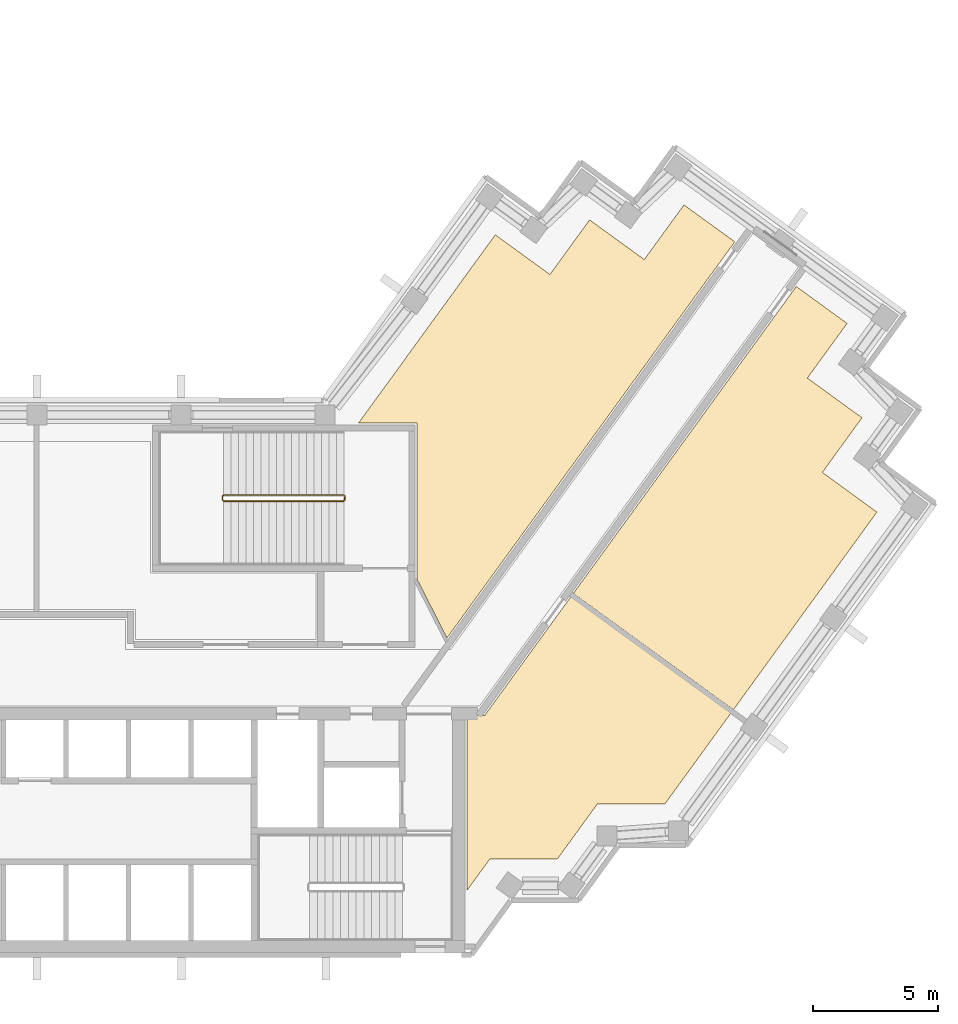
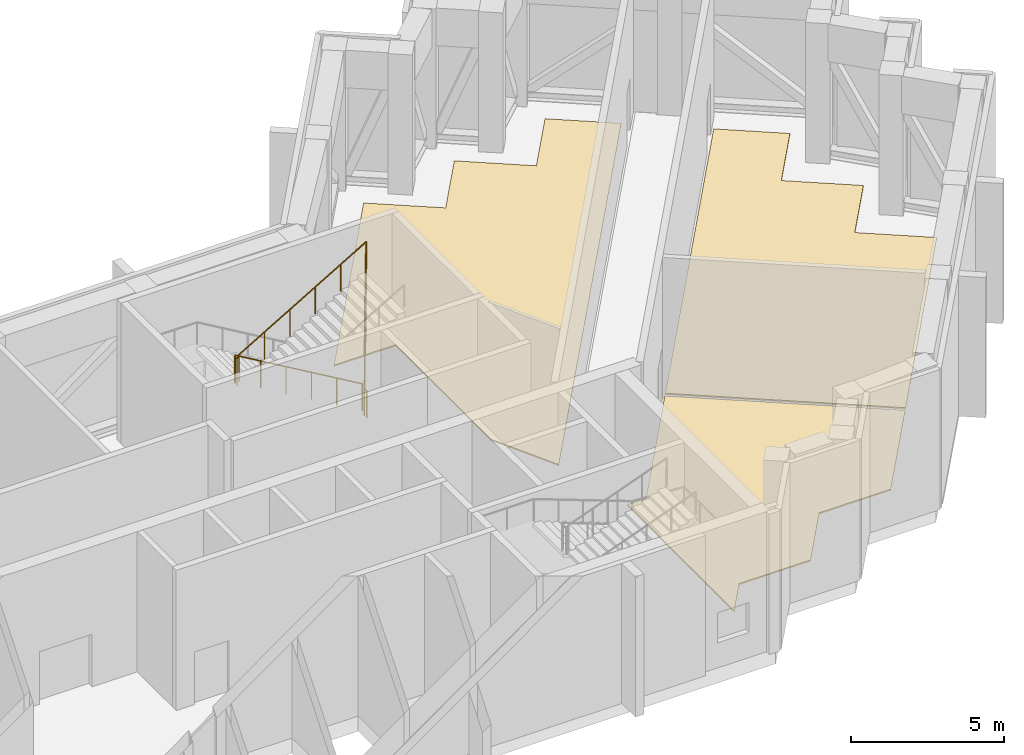
# One storey, part 15 of 15: 3 coverings, 1 railing.
"""IFC4 building model written with IfcOpenShell, lengths in metres."""

from ifc_helpers import new_model, si_unit, direction, frame, origin, origin_2d, place, context, subcontext, project, spatial, polyline, circle, outline, extrude, material, layer, layer_set, type_object, element, save


model = new_model("IFC4")

# Units and contexts
model_context = context("Model", 3, precision=1e-05, world=origin(), true_north=direction((0.0, 1.0)))
body_context = subcontext(model_context, "Body", "Model", "MODEL_VIEW")
ifc_project = project(units=[si_unit("LENGTHUNIT", "METRE"), si_unit("AREAUNIT", "SQUARE_METRE"), si_unit("VOLUMEUNIT", "CUBIC_METRE"), si_unit("PLANEANGLEUNIT", "RADIAN"), si_unit("MASSUNIT", "GRAM", prefix="KILO")], contexts=[model_context])

# Site, building, storey
site_placement = place(None, origin())
site = spatial("IfcSite", under=ifc_project, at=site_placement, CompositionType="ELEMENT")
building_placement = place(site_placement, origin())
building = spatial("IfcBuilding", under=site, at=building_placement, Name="Quipu Civic Tower", CompositionType="ELEMENT")
storey_placement = place(building_placement, frame((0.0, 0.0, 242.0)))
storey = spatial("IfcBuildingStorey", under=building, at=storey_placement, Name="L57", CompositionType="ELEMENT", Elevation=242.0)

# Coverings
ifc_material_1 = material(Name="Sealed cement screed")
ifc_layer = layer(ifc_material_1, 0.050048828125)
ifc_layer_set = layer_set([ifc_layer], Name="Sealed cement screed")
covering_type = type_object("IfcCoveringType", Name="Sealed screed floor finish 50", PredefinedType="FLOORING", material=ifc_layer_set)
covering_1_placement = place(storey_placement, origin())
element("IfcCovering", 1, at=covering_1_placement, inside=storey, type_object=covering_type, Name="Sealed screed floor finish 50", PredefinedType="FLOORING", context=body_context, shape_type="SweptSolid", body=[
    extrude(outline(polyline([(15.73193359375, 10.169921875), (21.205078125, 17.701904296875), (23.388916015625, 16.115966796875), (24.97607421875, 18.299072265625), (27.159912109375, 16.712890625), (28.748046875, 18.89697265625), (30.779052734375, 17.422119140625), (19.27197265625, 1.583984375), (18.070068359375, 3.94189453125), (18.070068359375, 10.1689453125), (15.73193359375, 10.169921875)])), origin(), (0.0, 0.0, 1.0), 0.050048828125),
])
covering_2_placement = place(storey_placement, origin())
element("IfcCovering", 2, at=covering_2_placement, inside=storey, type_object=covering_type, Name="Sealed screed floor finish 50", PredefinedType="FLOORING", context=body_context, shape_type="SweptSolid", body=[
    extrude(outline(polyline([(20.070068359375, -8.514892578125), (20.070068359375, -1.52001953125), (20.77490234375, -1.51904296875), (24.241943359375, 3.2529296875), (30.64111328125, -1.39599609375), (27.97900390625, -5.06103515625), (25.279052734375, -5.06103515625), (23.69189453125, -7.24609375), (20.991943359375, -7.24609375), (20.070068359375, -8.514892578125)])), origin(), (0.0, 0.0, 1.0), 0.050048828125),
])
covering_3_placement = place(storey_placement, origin())
element("IfcCovering", 3, at=covering_3_placement, inside=storey, type_object=covering_type, Name="Sealed screed floor finish 50", PredefinedType="FLOORING", context=body_context, shape_type="SweptSolid", body=[
    extrude(outline(polyline([(24.324951171875, 3.365966796875), (33.238037109375, 15.635009765625), (35.26904296875, 14.159912109375), (33.681884765625, 11.97607421875), (35.865966796875, 10.387939453125), (34.280029296875, 8.2041015625), (36.462890625, 6.616943359375), (30.72412109375, -1.282958984375), (24.324951171875, 3.365966796875)])), origin(), (0.0, 0.0, 1.0), 0.050048828125),
])

# Railing
ifc_material_2 = material(Name="Stainless steel", Category="steel")
railing_type = type_object("IfcRailingType", Name="Stair guard 1100", PredefinedType="GUARDRAIL", material=ifc_material_2)
railing_placement = place(storey_placement, frame((15.14990234375, 7.300048828125, 0.176513671875)))
element("IfcRailing", 4, at=railing_placement, inside=storey, type_object=railing_type, Name="Stair 4 guard", PredefinedType="GUARDRAIL", context=body_context, shape_type="SweptSolid", body=[
    extrude(circle(Radius=0.02392578125, at=origin_2d()), frame((0.0, 0.0, 1.076171875), z_axis=(-0.86192857992, 0.0, 0.507029706346), x_axis=(0.0, -1.0, 0.0)), (0.0, 0.0, 1.0), 5.568603515625),
    extrude(circle(Radius=0.02392578125, at=origin_2d()), frame((-4.7998046875, 0.0, 3.8994140625), z_axis=(-0.707106781187, -0.707106781187, 0.0), x_axis=(0.707106781187, -0.707106781187, 0.0)), (0.0, 0.0, 1.0), 0.07080078125),
    extrude(circle(Radius=0.02392578125, at=origin_2d()), frame((-4.849853515625, -0.050048828125, 3.8994140625), z_axis=(0.0, -1.0, 0.0), x_axis=(1.0, 0.0, 0.0)), (0.0, 0.0, 1.0), 0.14990234375),
    extrude(circle(Radius=0.02392578125, at=origin_2d()), frame((-4.849853515625, -0.199951171875, 3.8994140625), z_axis=(0.263171338983, -0.263171338983, 0.928160380902), x_axis=(0.707106781187, 0.707106781187, 0.0)), (0.0, 0.0, 1.0), 0.190185546875),
    extrude(circle(Radius=0.02392578125, at=origin_2d()), frame((-4.7998046875, -0.25, 4.076171875), z_axis=(0.86192857992, 0.0, 0.507029706346), x_axis=(0.0, 1.0, 0.0)), (0.0, 0.0, 1.0), 5.568603515625),
    extrude(circle(Radius=0.02392578125, at=origin_2d()), frame((0.0, -0.25, 6.8994140625), z_axis=(0.008336553618, 0.033305548356, -0.999410447375), x_axis=(-0.970072785993, 0.242814311512, 0.0)), (0.0, 0.0, 1.0), 6.00341796875),
    extrude(circle(Radius=0.02392578125, at=origin_2d()), frame((0.050048828125, -0.050048828125, 0.8994140625), z_axis=(0.0, -1.0, 0.0), x_axis=(1.0, 0.0, 0.0)), (0.0, 0.0, 1.0), 0.14990234375),
    extrude(circle(Radius=0.02099609375, at=origin_2d()), origin(), (0.0, 0.0, 1.0), 1.052001953125),
    extrude(circle(Radius=0.02099609375, at=origin_2d()), frame((-0.9599609375, 0.0, 0.564697265625)), (0.0, 0.0, 1.0), 1.052001953125),
    extrude(circle(Radius=0.02099609375, at=origin_2d()), frame((-1.919921875, 0.0, 1.12939453125)), (0.0, 0.0, 1.0), 1.052001953125),
    extrude(circle(Radius=0.02099609375, at=origin_2d()), frame((-2.8798828125, 0.0, 1.694091796875)), (0.0, 0.0, 1.0), 1.052001953125),
    extrude(circle(Radius=0.02099609375, at=origin_2d()), frame((-3.83984375, 0.0, 2.2587890625)), (0.0, 0.0, 1.0), 1.052001953125),
    extrude(circle(Radius=0.02099609375, at=origin_2d()), frame((-4.7998046875, 0.0, 2.823486328125)), (0.0, 0.0, 1.0), 1.052001953125),
    extrude(circle(Radius=0.02099609375, at=origin_2d()), frame((-4.849853515625, -0.050048828125, 2.823486328125)), (0.0, 0.0, 1.0), 1.052001953125),
    extrude(circle(Radius=0.02099609375, at=origin_2d()), frame((-4.849853515625, -0.199951171875, 2.823486328125)), (0.0, 0.0, 1.0), 1.052001953125),
    extrude(circle(Radius=0.02099609375, at=origin_2d()), frame((-4.7998046875, -0.25, 3.0)), (0.0, 0.0, 1.0), 1.052001953125),
    extrude(circle(Radius=0.02099609375, at=origin_2d()), frame((-3.83984375, -0.25, 3.564697265625)), (0.0, 0.0, 1.0), 1.052001953125),
    extrude(circle(Radius=0.02099609375, at=origin_2d()), frame((-2.8798828125, -0.25, 4.12939453125)), (0.0, 0.0, 1.0), 1.052001953125),
    extrude(circle(Radius=0.02099609375, at=origin_2d()), frame((-1.919921875, -0.25, 4.694091796875)), (0.0, 0.0, 1.0), 1.052001953125),
    extrude(circle(Radius=0.02099609375, at=origin_2d()), frame((-0.9599609375, -0.25, 5.2587890625)), (0.0, 0.0, 1.0), 1.052001953125),
    extrude(circle(Radius=0.02099609375, at=origin_2d()), frame((0.0, -0.25, 5.823486328125)), (0.0, 0.0, 1.0), 1.052001953125),
    extrude(circle(Radius=0.02099609375, at=origin_2d()), frame((0.00830078125, -0.216796875, 4.823486328125)), (0.0, 0.0, 1.0), 1.052001953125),
    extrude(circle(Radius=0.02099609375, at=origin_2d()), frame((0.0166015625, -0.183349609375, 3.823486328125)), (0.0, 0.0, 1.0), 1.052001953125),
    extrude(circle(Radius=0.02099609375, at=origin_2d()), frame((0.02490234375, -0.14990234375, 2.823486328125)), (0.0, 0.0, 1.0), 1.052001953125),
    extrude(circle(Radius=0.02099609375, at=origin_2d()), frame((0.033447265625, -0.11669921875, 1.823486328125)), (0.0, 0.0, 1.0), 1.052001953125),
    extrude(circle(Radius=0.02099609375, at=origin_2d()), frame((0.041748046875, -0.08349609375, 0.823486328125)), (0.0, 0.0, 1.0), 1.052001953125),
    extrude(circle(Radius=0.02099609375, at=origin_2d()), frame((0.050048828125, -0.050048828125, -0.176513671875)), (0.0, 0.0, 1.0), 1.052001953125),
    extrude(circle(Radius=0.02099609375, at=origin_2d()), frame((0.050048828125, -0.199951171875, -0.176513671875)), (0.0, 0.0, 1.0), 1.052001953125),
])

save(model, "model.ifc")
